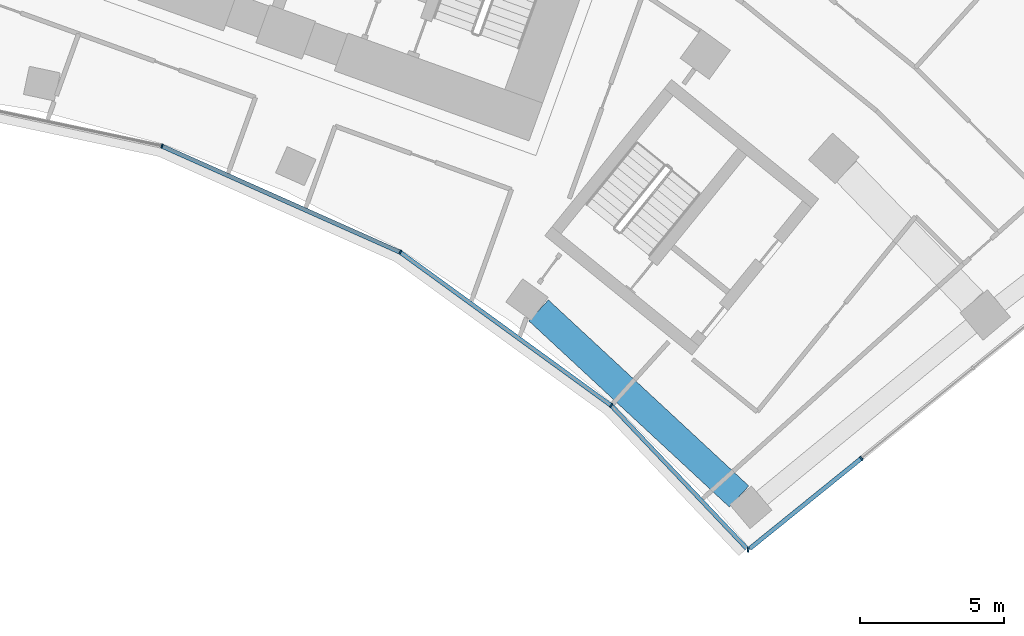
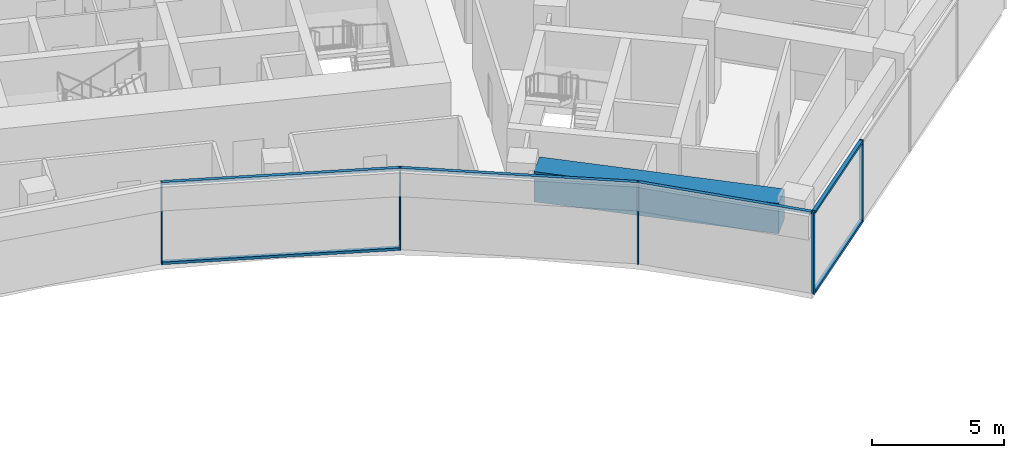
# One storey, part 9 of 23: 11 members, 1 beam, 2 elements without a shape of their own.
"""IFC4 building model written with IfcOpenShell, lengths in metres."""

from ifc_helpers import new_model, si_unit, direction, frame, origin, origin_2d, place, context, subcontext, project, spatial, rectangle, extrude, material, layer, layer_set, material_profile, profile_set, type_object, element, aggregate, save


model = new_model("IFC4")

# Units and contexts
model_context = context("Model", 3, precision=1e-05, world=origin(), true_north=direction((0.0, 1.0)))
body_context = subcontext(model_context, "Body", "Model", "MODEL_VIEW")
ifc_project = project(units=[si_unit("LENGTHUNIT", "METRE"), si_unit("AREAUNIT", "SQUARE_METRE"), si_unit("VOLUMEUNIT", "CUBIC_METRE"), si_unit("PLANEANGLEUNIT", "RADIAN"), si_unit("MASSUNIT", "GRAM", prefix="KILO")], contexts=[model_context])

# Site, building, storey
site_placement = place(None, origin())
site = spatial("IfcSite", under=ifc_project, at=site_placement, CompositionType="ELEMENT")
building_placement = place(site_placement, origin())
building = spatial("IfcBuilding", under=site, at=building_placement, Name="Stone Belt Terrace Tower", CompositionType="ELEMENT")
storey_placement = place(building_placement, frame((0.0, 0.0, 166.800048828125)))
storey = spatial("IfcBuildingStorey", under=building, at=storey_placement, Name="L40", CompositionType="ELEMENT", Elevation=166.800048828125)

# Curtain wall, members
ifc_material_1 = material(Name="Aluminium 6063-T6 anodised frame", Category="aluminium")
ifc_layer_1 = layer(ifc_material_1, 0.14990234375)
ifc_layer_set_1 = layer_set([ifc_layer_1], Name="CW-B unitised concave-face curtain wall")
curtain_wall_type_1 = type_object("IfcCurtainWallType", Name="CW-B unitised concave-face curtain wall", PredefinedType="NOTDEFINED", material=ifc_layer_set_1)
curtain_wall_1_placement = place(storey_placement, origin())
curtain_wall_1 = element("IfcCurtainWall", 1, at=curtain_wall_1_placement, inside=storey, type_object=curtain_wall_type_1, Name="CW-B concave face L40", PredefinedType="NOTDEFINED")
ifc_material_profile_1 = material_profile(ifc_material_1, rectangle(XDim=0.14990234375, YDim=0.050048828125, at=origin_2d()), Name="Aluminium 6063-T6 50x150")
ifc_profile_set_1 = profile_set([ifc_material_profile_1], Name="Aluminium 6063-T6 anodised frame")
member_type_1 = type_object("IfcMemberType", Name="CW-B mullion 50 x 150", PredefinedType="MULLION", material=ifc_profile_set_1)
member_1_placement = place(storey_placement, frame((13.4189453125, 41.29931640625, 0.0), z_axis=(0.0, 0.0, 1.0), x_axis=(0.309016994375, 0.951056516295, 0.0)))
member_1 = element("IfcMember", 2, at=member_1_placement, type_object=member_type_1, Name="CW-B mullion 7", PredefinedType="MULLION", context=body_context, shape_type="SweptSolid", body=[
    extrude(rectangle(XDim=0.14990234375, YDim=0.050048828125, at=origin_2d()), origin(), (0.0, 0.0, 1.0), 3.800048828125),
])
member_2_placement = place(storey_placement, frame((21.71240234375, 37.606689453125, 0.0), z_axis=(0.0, 0.0, 1.0), x_axis=(0.5, 0.866025403784, 0.0)))
member_2 = element("IfcMember", 3, at=member_2_placement, type_object=member_type_1, Name="CW-B mullion 8", PredefinedType="MULLION", context=body_context, shape_type="SweptSolid", body=[
    extrude(rectangle(XDim=0.14990234375, YDim=0.050048828125, at=origin_2d()), origin(), (0.0, 0.0, 1.0), 3.800048828125),
])
member_3_placement = place(storey_placement, frame((29.0576171875, 32.270263671875, 0.0), z_axis=(0.0, 0.0, 1.0), x_axis=(0.65949451093, 0.751709378719, 0.0)))
member_3 = element("IfcMember", 4, at=member_3_placement, type_object=member_type_1, Name="CW-B mullion 9", PredefinedType="MULLION", context=body_context, shape_type="SweptSolid", body=[
    extrude(rectangle(XDim=0.14990234375, YDim=0.050048828125, at=origin_2d()), origin(), (0.0, 0.0, 1.0), 3.800048828125),
])
ifc_material_profile_2 = material_profile(ifc_material_1, rectangle(XDim=0.14990234375, YDim=0.1201171875, at=origin_2d()), Name="Aluminium 6063-T6 150x120")
ifc_profile_set_2 = profile_set([ifc_material_profile_2], Name="Aluminium 6063-T6 anodised frame")
member_type_2 = type_object("IfcMemberType", Name="CW-B transom 120 x 150", PredefinedType="USERDEFINED", material=ifc_profile_set_2)
member_4_placement = place(storey_placement, frame((13.44873046875, 41.285888671875, 0.06005859375), z_axis=(0.913548853737, -0.406729015237, 0.0), x_axis=(0.406729015237, 0.913548853737, 0.0)))
member_4 = element("IfcMember", 5, at=member_4_placement, type_object=member_type_2, Name="CW-B transom 7.1", ObjectType="TRANSOM", PredefinedType="USERDEFINED", context=body_context, shape_type="SweptSolid", body=[
    extrude(rectangle(XDim=0.14990234375, YDim=0.1201171875, at=origin_2d()), origin(), (0.0, 0.0, 1.0), 9.0126953125),
])
member_5_placement = place(storey_placement, frame((13.44873046875, 41.285888671875, 3.739990234375), z_axis=(0.913548853737, -0.406729015237, 0.0), x_axis=(0.406729015237, 0.913548853737, 0.0)))
member_5 = element("IfcMember", 6, at=member_5_placement, type_object=member_type_2, Name="CW-B transom 7.2", ObjectType="TRANSOM", PredefinedType="USERDEFINED", context=body_context, shape_type="SweptSolid", body=[
    extrude(rectangle(XDim=0.14990234375, YDim=0.1201171875, at=origin_2d()), origin(), (0.0, 0.0, 1.0), 9.0126953125),
])
member_6_placement = place(storey_placement, frame((21.73876953125, 37.587646484375, 3.739990234375), z_axis=(0.809007701117, -0.587798043152, 0.0), x_axis=(0.587798043152, 0.809007701117, 0.0)))
member_6 = element("IfcMember", 7, at=member_6_placement, type_object=member_type_2, Name="CW-B transom 8.1", ObjectType="TRANSOM", PredefinedType="USERDEFINED", context=body_context, shape_type="SweptSolid", body=[
    extrude(rectangle(XDim=0.14990234375, YDim=0.1201171875, at=origin_2d()), origin(), (0.0, 0.0, 1.0), 9.0146484375),
])
member_7_placement = place(storey_placement, frame((29.079345703125, 32.2470703125, 3.739990234375), z_axis=(0.688086059699, -0.725629088755, 0.0), x_axis=(0.725629088755, 0.688086059699, 0.0)))
member_7 = element("IfcMember", 8, at=member_7_placement, type_object=member_type_2, Name="CW-B transom 9.1", ObjectType="TRANSOM", PredefinedType="USERDEFINED", context=body_context, shape_type="SweptSolid", body=[
    extrude(rectangle(XDim=0.14990234375, YDim=0.1201171875, at=origin_2d()), origin(), (0.0, 0.0, 1.0), 6.821533203125),
])
aggregate(curtain_wall_1, [member_1, member_2, member_3, member_4, member_5, member_6, member_7])

ifc_layer_2 = layer(ifc_material_1, 0.14990234375)
ifc_layer_set_2 = layer_set([ifc_layer_2], Name="CW-C stick curtain wall, horn ends and notches")
curtain_wall_type_2 = type_object("IfcCurtainWallType", Name="CW-C stick curtain wall, horn ends and notches", PredefinedType="NOTDEFINED", material=ifc_layer_set_2)
curtain_wall_2_placement = place(storey_placement, origin())
curtain_wall_2 = element("IfcCurtainWall", 9, at=curtain_wall_2_placement, inside=storey, type_object=curtain_wall_type_2, Name="CW-C end face L40", PredefinedType="NOTDEFINED")
ifc_material_profile_3 = material_profile(ifc_material_1, rectangle(XDim=0.14990234375, YDim=0.06005859375, at=origin_2d()), Name="Aluminium 6063-T6 60x150")
ifc_profile_set_3 = profile_set([ifc_material_profile_3], Name="Aluminium 6063-T6 anodised frame")
member_type_3 = type_object("IfcMemberType", Name="CW-C mullion 60 x 150", PredefinedType="MULLION", material=ifc_profile_set_3)
member_8_placement = place(storey_placement, frame((33.82080078125, 27.246826171875, 0.0), z_axis=(0.0, 0.0, 1.0), x_axis=(0.065995226501, 0.997819938706, 0.0)))
member_8 = element("IfcMember", 10, at=member_8_placement, type_object=member_type_3, Name="CW-C mullion 1", PredefinedType="MULLION", context=body_context, shape_type="SweptSolid", body=[
    extrude(rectangle(XDim=0.14990234375, YDim=0.06005859375, at=origin_2d()), origin(), (0.0, 0.0, 1.0), 3.800048828125),
])
member_9_placement = place(storey_placement, frame((37.762939453125, 30.433837890625, 0.0), z_axis=(0.0, 0.0, 1.0), x_axis=(-0.628705337721, 0.777643619096, 0.0)))
member_9 = element("IfcMember", 11, at=member_9_placement, type_object=member_type_3, Name="CW-C mullion 2", PredefinedType="MULLION", context=body_context, shape_type="SweptSolid", body=[
    extrude(rectangle(XDim=0.14990234375, YDim=0.06005859375, at=origin_2d()), origin(), (0.0, 0.0, 1.0), 3.800048828125),
])
ifc_material_profile_4 = material_profile(ifc_material_1, rectangle(XDim=0.14990234375, YDim=0.1201171875, at=origin_2d()), Name="Aluminium 6063-T6 150x120")
ifc_profile_set_4 = profile_set([ifc_material_profile_4], Name="Aluminium 6063-T6 anodised frame")
member_type_4 = type_object("IfcMemberType", Name="CW-C transom 120 x 150", PredefinedType="USERDEFINED", material=ifc_profile_set_4)
member_10_placement = place(storey_placement, frame((33.87744140625, 27.292724609375, 0.06005859375), z_axis=(0.777649970155, 0.628697482035, 0.0), x_axis=(-0.628697482035, 0.777649970155, 0.0)))
member_10 = element("IfcMember", 12, at=member_10_placement, type_object=member_type_4, Name="CW-C transom 1.1", ObjectType="TRANSOM", PredefinedType="USERDEFINED", context=body_context, shape_type="SweptSolid", body=[
    extrude(rectangle(XDim=0.14990234375, YDim=0.1201171875, at=origin_2d()), origin(), (0.0, 0.0, 1.0), 4.96630859375),
])
member_11_placement = place(storey_placement, frame((33.87744140625, 27.292724609375, 3.739990234375), z_axis=(0.777649970155, 0.628697482035, 0.0), x_axis=(-0.628697482035, 0.777649970155, 0.0)))
member_11 = element("IfcMember", 13, at=member_11_placement, type_object=member_type_4, Name="CW-C transom 1.2", ObjectType="TRANSOM", PredefinedType="USERDEFINED", context=body_context, shape_type="SweptSolid", body=[
    extrude(rectangle(XDim=0.14990234375, YDim=0.1201171875, at=origin_2d()), origin(), (0.0, 0.0, 1.0), 4.96630859375),
])
aggregate(curtain_wall_2, [member_8, member_9, member_10, member_11])

# Beam
ifc_material_2 = material(Name="Concrete B80", Category="concrete")
ifc_material_profile_5 = material_profile(ifc_material_2, rectangle(XDim=1.0, YDim=1.39990234375, at=origin_2d()), Name="RC 1000x1400")
ifc_profile_set_5 = profile_set([ifc_material_profile_5], Name="Concrete B80")
beam_type = type_object("IfcBeamType", Name="Transfer beam RC 1000x1400 B80", PredefinedType="BEAM", material=ifc_profile_set_5)
beam_placement = place(storey_placement, frame((26.5302734375, 35.579833984375, 2.780029296875), z_axis=(0.732960665706, -0.680271021379, 0.0), x_axis=(0.680271021379, 0.732960665706, 0.0)))
element("IfcBeam", 14, at=beam_placement, inside=storey, type_object=beam_type, Name="Transfer beam L40 PP28-PB", PredefinedType="BEAM", context=body_context, shape_type="SweptSolid", body=[
    extrude(rectangle(XDim=1.0, YDim=1.39990234375, at=origin_2d()), origin(), (0.0, 0.0, 1.0), 9.517333984375),
])

save(model, "model.ifc")
